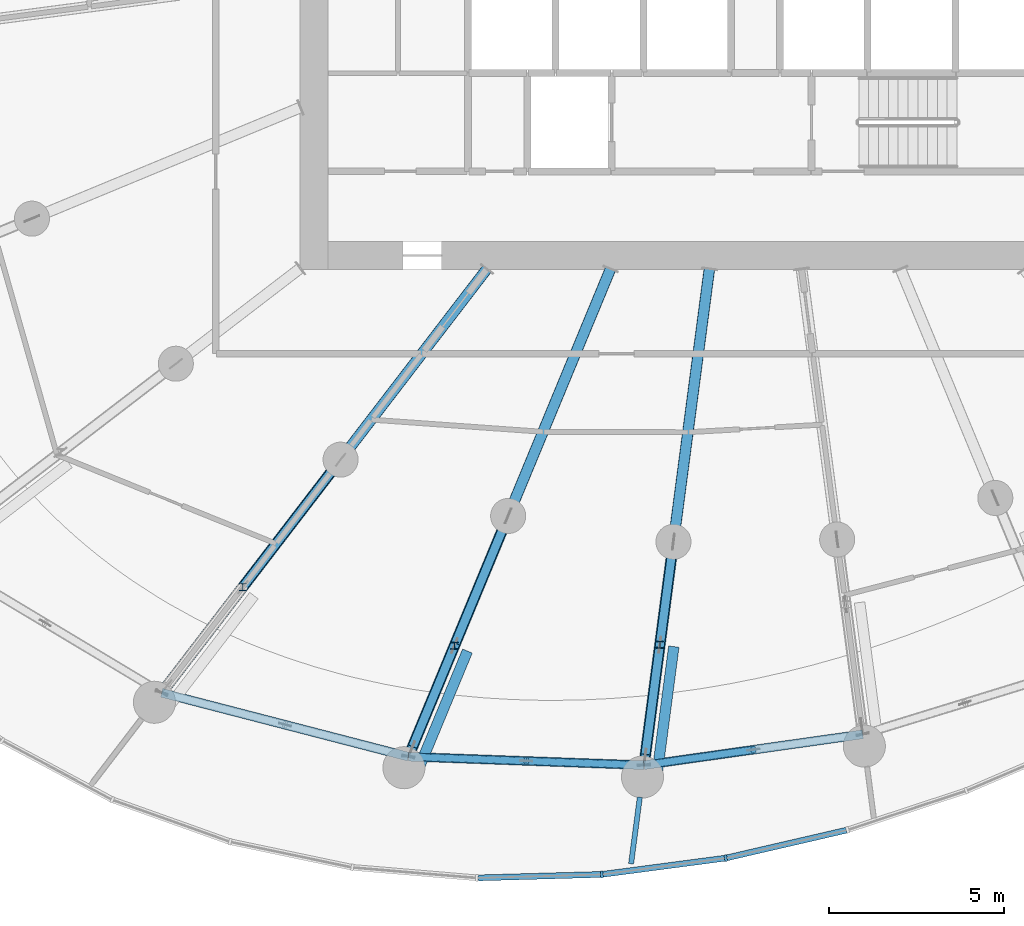
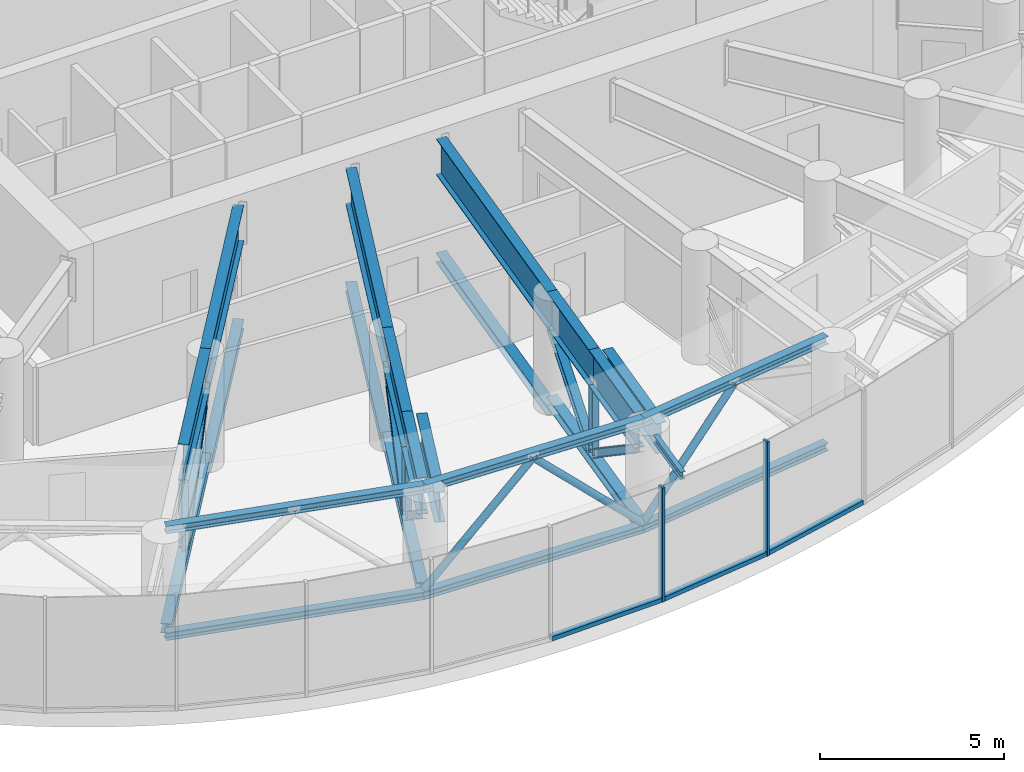
# One storey, part 3 of 33: 28 members, 11 beams, 1 element without a shape of its own.
"""IFC4 building model written with IfcOpenShell, lengths in metres."""

import ifcopenshell
import ifcopenshell.guid

model = None  # the IFC model being written
_history = None  # IfcOwnerHistory: only IFC2X3 demands one
_inside = {}  # id of a spatial element -> (the spatial element, [elements in it])
_under = {}  # id of a project, library or spatial element -> (it, [spatial elements below it])
_declared = {}  # id of a project -> (the project, [libraries it declares])
_typed = {}  # id of a type object -> (the type object, [elements of that type])
_made_of = {}  # id of a material, layer set ... -> (it, [elements and type objects made of it])


def new_model(schema):
    """Start an empty IFC model of exactly this schema.

    Asked for "IFC4X3", IfcOpenShell would pick the latest addendum, in which some entities
    have other attributes; the version numbers below select the first issue.
    IFC2X3 requires an IfcOwnerHistory on every rooted entity: one is made here for all.
    """
    global model, _history
    if schema == "IFC4X3":
        model = ifcopenshell.file(schema_version=(4, 3, 0, 0))
    else:
        model = ifcopenshell.file(schema=schema)
    _inside.clear()
    _under.clear()
    _declared.clear()
    _typed.clear()
    _made_of.clear()
    _history = None
    if model.schema == "IFC2X3":
        org = make("IfcOrganization", Name="unknown")
        user = make(
            "IfcPersonAndOrganization",
            ThePerson=make("IfcPerson", FamilyName="unknown"),
            TheOrganization=org,
        )
        app = make(
            "IfcApplication",
            ApplicationDeveloper=org,
            Version="unknown",
            ApplicationFullName="unknown",
            ApplicationIdentifier="unknown",
        )
        _history = make(
            "IfcOwnerHistory",
            OwningUser=user,
            OwningApplication=app,
            ChangeAction="ADDED",
            CreationDate=0,
        )
    return model


def make(cls, **values):
    """One entity of the class cls with the attributes given. An attribute that is None is left unset."""
    return model.create_entity(
        cls, **{name: value for name, value in values.items() if value is not None}
    )


def rooted(cls, **values):
    """An entity with a GlobalId (a new one), such as an element, a storey or a relation."""
    return make(cls, GlobalId=ifcopenshell.guid.new(), OwnerHistory=_history, **values)


def si_unit(unit_type, name, prefix=None):
    """IfcSIUnit, for example si_unit("LENGTHUNIT", "METRE", prefix="MILLI")."""
    return make("IfcSIUnit", UnitType=unit_type, Prefix=prefix, Name=name)


def assignment(units):
    """IfcUnitAssignment: the units of a project."""
    return None if units is None else make("IfcUnitAssignment", Units=units)


def point(xyz):
    """IfcCartesianPoint."""
    return None if xyz is None else make("IfcCartesianPoint", Coordinates=xyz)


def direction(xyz):
    """IfcDirection."""
    return None if xyz is None else make("IfcDirection", DirectionRatios=xyz)


def frame(location, z_axis=None, x_axis=None):
    """IfcAxis2Placement3D, a coordinate frame: its origin and axes. An axis left out is left unset."""
    return make(
        "IfcAxis2Placement3D",
        Location=point(location),
        Axis=direction(z_axis),
        RefDirection=direction(x_axis),
    )


def frame_2d(location, x_axis=None):
    """IfcAxis2Placement2D, a coordinate frame in the plane: its origin and x axis."""
    return make(
        "IfcAxis2Placement2D", Location=point(location), RefDirection=direction(x_axis)
    )


def origin():
    """The frame at (0, 0, 0) with its axes left unset."""
    return frame((0.0, 0.0, 0.0))


def origin_2d():
    """The frame at (0, 0) in the plane with its x axis left unset."""
    return frame_2d((0.0, 0.0))


def place(relative_to, where):
    """IfcLocalPlacement: puts the frame where relative to a parent placement (None: the world)."""
    return make(
        "IfcLocalPlacement", PlacementRelTo=relative_to, RelativePlacement=where
    )


def context(
    kind, dimensions, precision=None, world=None, true_north=None, identifier=None
):
    """IfcGeometricRepresentationContext, for example the 3D "Model" context."""
    return make(
        "IfcGeometricRepresentationContext",
        ContextIdentifier=identifier,
        ContextType=kind,
        CoordinateSpaceDimension=dimensions,
        Precision=precision,
        WorldCoordinateSystem=world,
        TrueNorth=true_north,
    )


def subcontext(parent, identifier, kind, view, scale=None):
    """IfcGeometricRepresentationSubContext, for example "Body" below "Model"."""
    return make(
        "IfcGeometricRepresentationSubContext",
        ContextIdentifier=identifier,
        ContextType=kind,
        ParentContext=parent,
        TargetScale=scale,
        TargetView=view,
    )


def project(units=None, contexts=None):
    """IfcProject with its units and contexts."""
    return rooted(
        "IfcProject",
        Name="project",
        RepresentationContexts=contexts,
        UnitsInContext=assignment(units),
    )


def spatial(cls, under=None, at=None, **own):
    """A site, building, storey or space (cls), placed at a placement, below another one or the project."""
    s = rooted(cls, ObjectPlacement=at, **own)
    if under is not None:
        _under.setdefault(under.id(), (under, []))[1].append(s)
    return s


def profile(cls, at=None, kind="AREA", **sizes):
    """A parametric profile (cls). Its sizes go by their IFC names, for example OverallWidth=200.0."""
    return make(cls, ProfileType=kind, Position=at, **sizes)


def rectangle(**sizes):
    """IfcRectangleProfileDef."""
    return profile("IfcRectangleProfileDef", **sizes)


def hollow_circle(**sizes):
    """IfcCircleHollowProfileDef."""
    return profile("IfcCircleHollowProfileDef", **sizes)


def i_section(**sizes):
    """IfcIShapeProfileDef."""
    return profile("IfcIShapeProfileDef", **sizes)


def extrude(swept, where, along, depth):
    """IfcExtrudedAreaSolid: the profile swept, set in the frame where, extruded along a direction by depth."""
    return make(
        "IfcExtrudedAreaSolid",
        SweptArea=swept,
        Position=where,
        ExtrudedDirection=direction(along),
        Depth=depth,
    )


def shape(context_of_items, identifier, shape_type, items):
    """IfcShapeRepresentation: the items that make up one representation, for example the "Body"."""
    return make(
        "IfcShapeRepresentation",
        ContextOfItems=context_of_items,
        RepresentationIdentifier=identifier,
        RepresentationType=shape_type,
        Items=items,
    )


def source(mapping_origin, context_of_items, identifier, shape_type, items):
    """IfcRepresentationMap: a shape defined once, which mapped items show again and again."""
    return make(
        "IfcRepresentationMap",
        MappingOrigin=mapping_origin,
        MappedRepresentation=shape(context_of_items, identifier, shape_type, items),
    )


def transform(
    local_origin,
    x_axis=None,
    y_axis=None,
    z_axis=None,
    scale=None,
    scale2=None,
    scale3=None,
    uniform=True,
):
    """IfcCartesianTransformationOperator3D, or its non-uniform kind. x_axis, y_axis, z_axis: its Axis1, 2, 3."""
    if uniform:
        return make(
            "IfcCartesianTransformationOperator3D",
            Axis1=direction(x_axis),
            Axis2=direction(y_axis),
            LocalOrigin=point(local_origin),
            Scale=scale,
            Axis3=direction(z_axis),
        )
    return make(
        "IfcCartesianTransformationOperator3DnonUniform",
        Axis1=direction(x_axis),
        Axis2=direction(y_axis),
        LocalOrigin=point(local_origin),
        Scale=scale,
        Axis3=direction(z_axis),
        Scale2=scale2,
        Scale3=scale3,
    )


def mapped(mapping_source, mapping_target):
    """IfcMappedItem: shows the shape of a source again, moved by a transform."""
    return make(
        "IfcMappedItem", MappingSource=mapping_source, MappingTarget=mapping_target
    )


def material(Name=None, Category=None):
    """IfcMaterial."""
    return make("IfcMaterial", Name=Name, Category=Category)


def layer(
    of_material, thickness, ventilated=None, Name=None, Category=None, Priority=None
):
    """IfcMaterialLayer: one layer of a wall or slab, of a material (None: an air gap)."""
    return make(
        "IfcMaterialLayer",
        Material=of_material,
        LayerThickness=thickness,
        IsVentilated=ventilated,
        Name=Name,
        Category=Category,
        Priority=Priority,
    )


def layer_set(layers, Name=None):
    """IfcMaterialLayerSet."""
    return make("IfcMaterialLayerSet", MaterialLayers=layers, LayerSetName=Name)


def material_profile(
    of_material, cross_section, Name=None, Category=None, Priority=None
):
    """IfcMaterialProfile: a cross section and its material."""
    return make(
        "IfcMaterialProfile",
        Name=Name,
        Material=of_material,
        Profile=cross_section,
        Priority=Priority,
        Category=Category,
    )


def profile_set(profiles, Name=None, composite=None):
    """IfcMaterialProfileSet."""
    return make(
        "IfcMaterialProfileSet",
        Name=Name,
        MaterialProfiles=profiles,
        CompositeProfile=composite,
    )


def made_of(thing, what):
    """Note that an element or type object is made of a material, layer set ...; save() writes the relation."""
    if what is not None:
        _made_of.setdefault(what.id(), (what, []))[1].append(thing)
    return thing


def type_object(cls, material=None, **own):
    """A type object (cls), such as IfcWallType, which elements share."""
    return made_of(rooted(cls, **own), material)


def element(
    cls,
    number,
    at=None,
    inside=None,
    cuts=None,
    type_object=None,
    material=None,
    context=None,
    identifier="Body",
    shape_type=None,
    held_by="IfcProductDefinitionShape",
    body=None,
    shapes=None,
    **own,
):
    """One element of the class cls, such as IfcWall. Its Tag is "e" and its number.

    at: its placement. inside: the storey or other place that contains it. cuts: it is an
    opening in that element (IfcRelVoidsElement). A single representation is given by context,
    identifier, shape_type and body (its items); several are given by shapes. held_by: the class
    of the entity that holds the representations. save() writes the other relations.
    """
    e = rooted(cls, Tag="e%d" % number, ObjectPlacement=at, **own)
    if body is not None:
        shapes = [shape(context, identifier, shape_type, body)]
    if shapes is not None:
        e.Representation = make(held_by, Representations=shapes)
    if inside is not None:
        _inside.setdefault(inside.id(), (inside, []))[1].append(e)
    if cuts is not None:
        rooted(
            "IfcRelVoidsElement", RelatingBuildingElement=cuts, RelatedOpeningElement=e
        )
    if type_object is not None:
        _typed.setdefault(type_object.id(), (type_object, []))[1].append(e)
    return made_of(e, material)


def aggregate(whole, parts):
    """IfcRelAggregates: a whole, such as a stair, and the parts it consists of."""
    return rooted("IfcRelAggregates", RelatingObject=whole, RelatedObjects=parts)


def save(model, path):
    """Write the relations noted so far, then the file.

    IfcRelAggregates (storeys below a building ...), IfcRelContainedInSpatialStructure (elements
    in a storey), IfcRelDefinesByType, IfcRelAssociatesMaterial and IfcRelDeclares: one each for
    every whole, place, type object, material and project.
    """
    for whole, parts in _under.values():
        aggregate(whole, parts)
    for where, things in _inside.values():
        rooted(
            "IfcRelContainedInSpatialStructure",
            RelatedElements=things,
            RelatingStructure=where,
        )
    for kind, things in _typed.values():
        rooted("IfcRelDefinesByType", RelatedObjects=things, RelatingType=kind)
    for what, things in _made_of.values():
        rooted("IfcRelAssociatesMaterial", RelatedObjects=things, RelatingMaterial=what)
    for by, libraries in _declared.values():
        rooted("IfcRelDeclares", RelatingContext=by, RelatedDefinitions=libraries)
    model.write(path)


model = new_model("IFC4")

# Units and contexts
model_context = context("Model", 3, precision=1e-05, world=origin(), true_north=direction((0.0, 1.0)))
body_context = subcontext(model_context, "Body", "Model", "MODEL_VIEW")
ifc_project = project(units=[si_unit("LENGTHUNIT", "METRE"), si_unit("AREAUNIT", "SQUARE_METRE"), si_unit("VOLUMEUNIT", "CUBIC_METRE"), si_unit("PLANEANGLEUNIT", "RADIAN"), si_unit("MASSUNIT", "GRAM", prefix="KILO")], contexts=[model_context])

# Site, building, storey
site_placement = place(None, origin())
site = spatial("IfcSite", under=ifc_project, at=site_placement, CompositionType="ELEMENT")
building_placement = place(site_placement, origin())
building = spatial("IfcBuilding", under=site, at=building_placement, Name="Spindrift Exchange Tower", CompositionType="ELEMENT")
storey_placement = place(building_placement, frame((0.0, 0.0, 129.0)))
storey = spatial("IfcBuildingStorey", under=building, at=storey_placement, Name="L30", CompositionType="ELEMENT", Elevation=129.0)

# Beams
ifc_material_1 = material(Name="Steel Grade 300", Category="steel")
ifc_material_profile_1 = material_profile(ifc_material_1, i_section(OverallWidth=0.14599609375, OverallDepth=0.251953125, WebThickness=0.006103515625, FlangeThickness=0.008544921875, FilletRadius=0.011962890625, at=origin_2d()), Name="250UB31.4")
ifc_profile_set_1 = profile_set([ifc_material_profile_1], Name="Steel Grade 300")
beam_type_1 = type_object("IfcBeamType", Name="Cantilever Beam 250UB31.4 Steel Grade 300", PredefinedType="BEAM", material=ifc_profile_set_1)
shared_shape_1 = source(origin(), body_context, "Body", "SweptSolid", [
    extrude(i_section(OverallWidth=0.14599609375, OverallDepth=0.251953125, WebThickness=0.006103515625, FlangeThickness=0.008544921875, FilletRadius=0.011962890625, at=origin_2d()), origin(), (0.0, 0.0, 1.0), 1.918701171875),
])
beam_1_placement = place(storey_placement, frame((48.701904296875, 22.9482421875, 3.654052734375), z_axis=(-0.130546671118, -0.991442165061, 0.0), x_axis=(0.991442165061, -0.130546671118, 0.0)))
element("IfcBeam", 1, at=beam_1_placement, inside=storey, type_object=beam_type_1, Name="L30 cantilever beam R18T", PredefinedType="BEAM", context=body_context, shape_type="MappedRepresentation", body=[
    mapped(shared_shape_1, transform((0.0, 0.0, 0.0), scale=1.0)),
])
ifc_material_profile_2 = material_profile(ifc_material_1, i_section(OverallWidth=0.300048828125, OverallDepth=1.199951171875, WebThickness=0.011962890625, FlangeThickness=0.028076171875, at=origin_2d()), Name="1200WB249")
ifc_profile_set_2 = profile_set([ifc_material_profile_2], Name="Steel Grade 300")
beam_type_2 = type_object("IfcBeamType", Name="Outrigger Truss Transfer Girder 1200WB249 Steel Grade 300", PredefinedType="BEAM", material=ifc_profile_set_2)
shared_shape_2 = source(origin(), body_context, "Body", "SweptSolid", [
    extrude(i_section(OverallWidth=0.300048828125, OverallDepth=1.199951171875, WebThickness=0.011962890625, FlangeThickness=0.028076171875, at=origin_2d()), origin(), (0.0, 0.0, 1.0), 6.856689453125),
])
beam_2_placement = place(storey_placement, frame((44.3388671875, 38.015869140625, 3.179931640625), z_axis=(-0.608765628414, -0.793350117956, 0.0), x_axis=(0.793350117956, -0.608765628414, 0.0)))
element("IfcBeam", 2, at=beam_2_placement, inside=storey, type_object=beam_type_2, Name="L30 outrigger truss 16 top chord 1", PredefinedType="BEAM", context=body_context, shape_type="MappedRepresentation", body=[
    mapped(shared_shape_2, transform((0.0, 0.0, 0.0), scale=1.0)),
])
shared_shape_3 = source(origin(), body_context, "Body", "SweptSolid", [
    extrude(i_section(OverallWidth=0.300048828125, OverallDepth=1.199951171875, WebThickness=0.011962890625, FlangeThickness=0.028076171875, at=origin_2d()), origin(), (0.0, 0.0, 1.0), 7.630615234375),
])
beam_3_placement = place(storey_placement, frame((47.865478515625, 38.0185546875, 3.179931640625), z_axis=(-0.382688052328, -0.923877618846, 0.0), x_axis=(0.923877618846, -0.382688052328, 0.0)))
element("IfcBeam", 3, at=beam_3_placement, inside=storey, type_object=beam_type_2, Name="L30 outrigger truss 17 top chord 1", PredefinedType="BEAM", context=body_context, shape_type="MappedRepresentation", body=[
    mapped(shared_shape_3, transform((0.0, 0.0, 0.0), scale=1.0)),
])
shared_shape_4 = source(origin(), body_context, "Body", "SweptSolid", [
    extrude(i_section(OverallWidth=0.300048828125, OverallDepth=1.199951171875, WebThickness=0.011962890625, FlangeThickness=0.028076171875, at=origin_2d()), origin(), (0.0, 0.0, 1.0), 7.854248046875),
])
beam_4_placement = place(storey_placement, frame((50.68603515625, 38.019775390625, 3.179931640625), z_axis=(-0.130520446117, -0.991445617846, 0.0), x_axis=(0.991445617846, -0.130520446117, 0.0)))
element("IfcBeam", 4, at=beam_4_placement, inside=storey, type_object=beam_type_2, Name="L30 outrigger truss 18 top chord 1", PredefinedType="BEAM", context=body_context, shape_type="MappedRepresentation", body=[
    mapped(shared_shape_4, transform((0.0, 0.0, 0.0), scale=1.0)),
])

# Members
ifc_material_profile_3 = material_profile(ifc_material_1, i_section(OverallWidth=0.202880859375, OverallDepth=0.202880859375, WebThickness=0.00732421875, FlangeThickness=0.010986328125, FilletRadius=0.012939453125, at=origin_2d()), Name="200UC46.2")
ifc_profile_set_3 = profile_set([ifc_material_profile_3], Name="Steel Grade 300")
member_type_1 = type_object("IfcMemberType", Name="Outrigger Truss Post 200UC46.2 Steel Grade 300", PredefinedType="POST", material=ifc_profile_set_3)
shared_shape_5 = source(origin(), body_context, "Body", "SweptSolid", [
    extrude(i_section(OverallWidth=0.202880859375, OverallDepth=0.202880859375, WebThickness=0.00732421875, FlangeThickness=0.010986328125, FilletRadius=0.012939453125, at=origin_2d()), origin(), (0.0, 0.0, 1.0), 2.259033203125),
])
for number, where, z_axis, x_axis, name in (
    (5, (37.375, 28.9404296875, 0.321044921875), (0.0, 0.0, 1.0), (1.0, 0.0, 0.0), "L30 outrigger truss 16 post 2"),
    (6, (43.4130859375, 27.26904296875, 0.321044921875), (0.0, 0.0, 1.0), (1.0, 0.0, 0.0), "L30 outrigger truss 17 post 2"),
    (7, (49.274169921875, 27.294677734375, 0.321044921875), (0.0, 0.0, 1.0), (1.0, 0.0, 0.0), "L30 outrigger truss 18 post 2"),
):
    element("IfcMember", number, at=place(storey_placement, frame(where, z_axis=z_axis, x_axis=x_axis)), inside=storey, type_object=member_type_1, Name=name, PredefinedType="POST", context=body_context, shape_type="MappedRepresentation", body=[
        mapped(shared_shape_5, transform((0.0, 0.0, 0.0), scale=1.0)),
    ])
ifc_material_profile_4 = material_profile(ifc_material_1, i_section(OverallWidth=0.30908203125, OverallDepth=0.321044921875, WebThickness=0.013916015625, FlangeThickness=0.021728515625, FilletRadius=0.0166015625, at=origin_2d()), Name="310UC137")
ifc_profile_set_4 = profile_set([ifc_material_profile_4], Name="Steel Grade 300")
member_type_2 = type_object("IfcMemberType", Name="Outrigger Truss Chord 310UC137 Steel Grade 300", PredefinedType="CHORD", material=ifc_profile_set_4)
shared_shape_6 = source(origin(), body_context, "Body", "SweptSolid", [
    extrude(i_section(OverallWidth=0.30908203125, OverallDepth=0.321044921875, WebThickness=0.013916015625, FlangeThickness=0.021728515625, FilletRadius=0.0166015625, at=origin_2d()), origin(), (0.0, 0.0, 1.0), 6.856689453125),
])
member_1_placement = place(storey_placement, frame((44.3388671875, 38.015869140625, -0.160400390625), z_axis=(-0.608765628414, -0.793350117956, 0.0), x_axis=(0.793350117956, -0.608765628414, 0.0)))
element("IfcMember", 8, at=member_1_placement, inside=storey, type_object=member_type_2, Name="L30 outrigger truss 16 bottom chord 1", PredefinedType="CHORD", context=body_context, shape_type="MappedRepresentation", body=[
    mapped(shared_shape_6, transform((0.0, 0.0, 0.0), scale=1.0)),
])

# Beam
shared_shape_7 = source(origin(), body_context, "Body", "SweptSolid", [
    extrude(i_section(OverallWidth=0.300048828125, OverallDepth=1.199951171875, WebThickness=0.011962890625, FlangeThickness=0.028076171875, at=origin_2d()), origin(), (0.0, 0.0, 1.0), 4.582763671875),
])
beam_5_placement = place(storey_placement, frame((40.164794921875, 32.576171875, 3.179931640625), z_axis=(-0.60876030555, -0.79335420235, 0.0), x_axis=(0.79335420235, -0.60876030555, 0.0)))
element("IfcBeam", 9, at=beam_5_placement, inside=storey, type_object=beam_type_2, Name="L30 outrigger truss 16 top chord 2", PredefinedType="BEAM", context=body_context, shape_type="MappedRepresentation", body=[
    mapped(shared_shape_7, transform((0.0, 0.0, 0.0), scale=1.0)),
])

# Members
shared_shape_8 = source(origin(), body_context, "Body", "SweptSolid", [
    extrude(i_section(OverallWidth=0.30908203125, OverallDepth=0.321044921875, WebThickness=0.013916015625, FlangeThickness=0.021728515625, FilletRadius=0.0166015625, at=origin_2d()), origin(), (0.0, 0.0, 1.0), 8.143798828125),
])
member_2_placement = place(storey_placement, frame((40.164794921875, 32.576171875, 0.160400390625), z_axis=(-0.608751213098, -0.793361179131, 0.0), x_axis=(0.793361179131, -0.608751213098, 0.0)))
element("IfcMember", 10, at=member_2_placement, inside=storey, type_object=member_type_2, Name="L30 outrigger truss 16 bottom chord 2", PredefinedType="CHORD", context=body_context, shape_type="MappedRepresentation", body=[
    mapped(shared_shape_8, transform((0.0, 0.0, 0.0), scale=1.0)),
])
ifc_material_profile_5 = material_profile(ifc_material_1, i_section(OverallWidth=0.25390625, OverallDepth=0.25390625, WebThickness=0.008544921875, FlangeThickness=0.01416015625, FilletRadius=0.011962890625, at=origin_2d()), Name="250UC72.9")
ifc_profile_set_5 = profile_set([ifc_material_profile_5], Name="Steel Grade 300")
member_type_3 = type_object("IfcMemberType", Name="Outrigger Truss Diagonal 250UC72.9 Steel Grade 300", PredefinedType="BRACE", material=ifc_profile_set_5)
shared_shape_9 = source(origin(), body_context, "Body", "SweptSolid", [
    extrude(i_section(OverallWidth=0.25390625, OverallDepth=0.25390625, WebThickness=0.008544921875, FlangeThickness=0.01416015625, FilletRadius=0.011962890625, at=origin_2d()), origin(), (0.0, 0.0, 1.0), 5.109375),
])
member_3_placement = place(storey_placement, frame((40.164794921875, 32.576171875, 2.580078125), z_axis=(-0.546024371921, -0.711594902131, -0.442142602029), x_axis=(0.79335420235, -0.60876030555, 0.0)))
element("IfcMember", 11, at=member_3_placement, inside=storey, type_object=member_type_3, Name="L30 outrigger truss 16 diagonal 2", PredefinedType="BRACE", context=body_context, shape_type="MappedRepresentation", body=[
    mapped(shared_shape_9, transform((0.0, 0.0, 0.0), scale=1.0)),
])
shared_shape_10 = source(origin(), body_context, "Body", "SweptSolid", [
    extrude(i_section(OverallWidth=0.30908203125, OverallDepth=0.321044921875, WebThickness=0.013916015625, FlangeThickness=0.021728515625, FilletRadius=0.0166015625, at=origin_2d()), origin(), (0.0, 0.0, 1.0), 7.630615234375),
])
member_4_placement = place(storey_placement, frame((47.865478515625, 38.0185546875, -0.160400390625), z_axis=(-0.382688052328, -0.923877618846, 0.0), x_axis=(0.923877618846, -0.382688052328, 0.0)))
element("IfcMember", 12, at=member_4_placement, inside=storey, type_object=member_type_2, Name="L30 outrigger truss 17 bottom chord 1", PredefinedType="CHORD", context=body_context, shape_type="MappedRepresentation", body=[
    mapped(shared_shape_10, transform((0.0, 0.0, 0.0), scale=1.0)),
])

# Beam
shared_shape_11 = source(origin(), body_context, "Body", "SweptSolid", [
    extrude(i_section(OverallWidth=0.300048828125, OverallDepth=1.199951171875, WebThickness=0.011962890625, FlangeThickness=0.028076171875, at=origin_2d()), origin(), (0.0, 0.0, 1.0), 4.00439453125),
])
beam_6_placement = place(storey_placement, frame((44.9453125, 30.96875, 3.179931640625), z_axis=(-0.382631792224, -0.923900920867, 0.0), x_axis=(0.923900920867, -0.382631792224, 0.0)))
element("IfcBeam", 13, at=beam_6_placement, inside=storey, type_object=beam_type_2, Name="L30 outrigger truss 17 top chord 2", PredefinedType="BEAM", context=body_context, shape_type="MappedRepresentation", body=[
    mapped(shared_shape_11, transform((0.0, 0.0, 0.0), scale=1.0)),
])

# Members
shared_shape_12 = source(origin(), body_context, "Body", "SweptSolid", [
    extrude(i_section(OverallWidth=0.30908203125, OverallDepth=0.321044921875, WebThickness=0.013916015625, FlangeThickness=0.021728515625, FilletRadius=0.0166015625, at=origin_2d()), origin(), (0.0, 0.0, 1.0), 7.1923828125),
])
member_5_placement = place(storey_placement, frame((44.9453125, 30.96875, 0.160400390625), z_axis=(-0.382652583252, -0.923892310029, 0.0), x_axis=(0.923892310029, -0.382652583252, 0.0)))
element("IfcMember", 14, at=member_5_placement, inside=storey, type_object=member_type_2, Name="L30 outrigger truss 17 bottom chord 2", PredefinedType="CHORD", context=body_context, shape_type="MappedRepresentation", body=[
    mapped(shared_shape_12, transform((0.0, 0.0, 0.0), scale=1.0)),
])
shared_shape_13 = source(origin(), body_context, "Body", "SweptSolid", [
    extrude(i_section(OverallWidth=0.25390625, OverallDepth=0.25390625, WebThickness=0.008544921875, FlangeThickness=0.01416015625, FilletRadius=0.011962890625, at=origin_2d()), origin(), (0.0, 0.0, 1.0), 4.59765625),
])
member_6_placement = place(storey_placement, frame((44.9453125, 30.96875, 2.580078125), z_axis=(-0.333259864527, -0.804687697108, -0.491340587392), x_axis=(0.923900920867, -0.382631792224, 0.0)))
element("IfcMember", 15, at=member_6_placement, inside=storey, type_object=member_type_3, Name="L30 outrigger truss 17 diagonal 2", PredefinedType="BRACE", context=body_context, shape_type="MappedRepresentation", body=[
    mapped(shared_shape_13, transform((0.0, 0.0, 0.0), scale=1.0)),
])

# Beam
shared_shape_14 = source(origin(), body_context, "Body", "SweptSolid", [
    extrude(i_section(OverallWidth=0.300048828125, OverallDepth=1.199951171875, WebThickness=0.011962890625, FlangeThickness=0.028076171875, at=origin_2d()), origin(), (0.0, 0.0, 1.0), 3.18798828125),
])
beam_7_placement = place(storey_placement, frame((43.4130859375, 27.26904296875, 3.179931640625), z_axis=(-0.382678698745, -0.923881493227, 0.0), x_axis=(0.923881493227, -0.382678698745, 0.0)))
element("IfcBeam", 16, at=beam_7_placement, inside=storey, type_object=beam_type_2, Name="L30 outrigger truss 17 top chord 3", PredefinedType="BEAM", context=body_context, shape_type="MappedRepresentation", body=[
    mapped(shared_shape_14, transform((0.0, 0.0, 0.0), scale=1.0)),
])

# Members
shared_shape_15 = source(origin(), body_context, "Body", "SweptSolid", [
    extrude(i_section(OverallWidth=0.25390625, OverallDepth=0.25390625, WebThickness=0.008544921875, FlangeThickness=0.01416015625, FilletRadius=0.011962890625, at=origin_2d()), origin(), (0.0, 0.0, 1.0), 3.9072265625),
])
member_7_placement = place(storey_placement, frame((43.4130859375, 27.26904296875, 0.321044921875), z_axis=(-0.312234381656, -0.753811402901, 0.578167847401), x_axis=(0.923881493227, -0.382678698745, 0.0)))
element("IfcMember", 17, at=member_7_placement, inside=storey, type_object=member_type_3, Name="L30 outrigger truss 17 diagonal 3", PredefinedType="BRACE", context=body_context, shape_type="MappedRepresentation", body=[
    mapped(shared_shape_15, transform((0.0, 0.0, 0.0), scale=1.0)),
])
shared_shape_16 = source(origin(), body_context, "Body", "SweptSolid", [
    extrude(i_section(OverallWidth=0.30908203125, OverallDepth=0.321044921875, WebThickness=0.013916015625, FlangeThickness=0.021728515625, FilletRadius=0.0166015625, at=origin_2d()), origin(), (0.0, 0.0, 1.0), 7.854248046875),
])
member_8_placement = place(storey_placement, frame((50.68603515625, 38.019775390625, -0.160400390625), z_axis=(-0.130520446117, -0.991445617846, 0.0), x_axis=(0.991445617846, -0.130520446117, 0.0)))
element("IfcMember", 18, at=member_8_placement, inside=storey, type_object=member_type_2, Name="L30 outrigger truss 18 bottom chord 1", PredefinedType="CHORD", context=body_context, shape_type="MappedRepresentation", body=[
    mapped(shared_shape_16, transform((0.0, 0.0, 0.0), scale=1.0)),
])

# Beam
shared_shape_17 = source(origin(), body_context, "Body", "SweptSolid", [
    extrude(i_section(OverallWidth=0.300048828125, OverallDepth=1.199951171875, WebThickness=0.011962890625, FlangeThickness=0.028076171875, at=origin_2d()), origin(), (0.0, 0.0, 1.0), 2.96337890625),
])
beam_8_placement = place(storey_placement, frame((49.660888671875, 30.232666015625, 3.179931640625), z_axis=(-0.130501398564, -0.991448125205, 0.0), x_axis=(0.991448125205, -0.130501398564, 0.0)))
element("IfcBeam", 19, at=beam_8_placement, inside=storey, type_object=beam_type_2, Name="L30 outrigger truss 18 top chord 2", PredefinedType="BEAM", context=body_context, shape_type="MappedRepresentation", body=[
    mapped(shared_shape_17, transform((0.0, 0.0, 0.0), scale=1.0)),
])

# Members
shared_shape_18 = source(origin(), body_context, "Body", "SweptSolid", [
    extrude(i_section(OverallWidth=0.30908203125, OverallDepth=0.321044921875, WebThickness=0.013916015625, FlangeThickness=0.021728515625, FilletRadius=0.0166015625, at=origin_2d()), origin(), (0.0, 0.0, 1.0), 6.1875),
])
member_9_placement = place(storey_placement, frame((49.660888671875, 30.232666015625, 0.160400390625), z_axis=(-0.130524939194, -0.991445026337, 0.0), x_axis=(0.991445026337, -0.130524939194, 0.0)))
element("IfcMember", 20, at=member_9_placement, inside=storey, type_object=member_type_2, Name="L30 outrigger truss 18 bottom chord 2", PredefinedType="CHORD", context=body_context, shape_type="MappedRepresentation", body=[
    mapped(shared_shape_18, transform((0.0, 0.0, 0.0), scale=1.0)),
])
shared_shape_19 = source(origin(), body_context, "Body", "SweptSolid", [
    extrude(i_section(OverallWidth=0.25390625, OverallDepth=0.25390625, WebThickness=0.008544921875, FlangeThickness=0.01416015625, FilletRadius=0.011962890625, at=origin_2d()), origin(), (0.0, 0.0, 1.0), 3.726318359375),
])
member_10_placement = place(storey_placement, frame((49.660888671875, 30.232666015625, 2.580078125), z_axis=(-0.103783713668, -0.788467935786, -0.606256756675), x_axis=(0.991448125205, -0.130501398564, 0.0)))
element("IfcMember", 21, at=member_10_placement, inside=storey, type_object=member_type_3, Name="L30 outrigger truss 18 diagonal 2", PredefinedType="BRACE", context=body_context, shape_type="MappedRepresentation", body=[
    mapped(shared_shape_19, transform((0.0, 0.0, 0.0), scale=1.0)),
])

# Beam
shared_shape_20 = source(origin(), body_context, "Body", "SweptSolid", [
    extrude(i_section(OverallWidth=0.300048828125, OverallDepth=1.199951171875, WebThickness=0.011962890625, FlangeThickness=0.028076171875, at=origin_2d()), origin(), (0.0, 0.0, 1.0), 3.22412109375),
])
beam_9_placement = place(storey_placement, frame((49.274169921875, 27.294677734375, 3.179931640625), z_axis=(-0.130546575594, -0.991442177639, 0.0), x_axis=(0.991442177639, -0.130546575594, 0.0)))
element("IfcBeam", 22, at=beam_9_placement, inside=storey, type_object=beam_type_2, Name="L30 outrigger truss 18 top chord 3", PredefinedType="BEAM", context=body_context, shape_type="MappedRepresentation", body=[
    mapped(shared_shape_20, transform((0.0, 0.0, 0.0), scale=1.0)),
])

# Members
shared_shape_21 = source(origin(), body_context, "Body", "SweptSolid", [
    extrude(i_section(OverallWidth=0.25390625, OverallDepth=0.25390625, WebThickness=0.008544921875, FlangeThickness=0.01416015625, FilletRadius=0.011962890625, at=origin_2d()), origin(), (0.0, 0.0, 1.0), 3.936767578125),
])
member_11_placement = place(storey_placement, frame((49.274169921875, 27.294677734375, 0.321044921875), z_axis=(-0.106914480121, -0.81196710454, 0.573828123296), x_axis=(0.991442177639, -0.130546575594, 0.0)))
element("IfcMember", 23, at=member_11_placement, inside=storey, type_object=member_type_3, Name="L30 outrigger truss 18 diagonal 3", PredefinedType="BRACE", context=body_context, shape_type="MappedRepresentation", body=[
    mapped(shared_shape_21, transform((0.0, 0.0, 0.0), scale=1.0)),
])
ifc_material_profile_6 = material_profile(ifc_material_1, i_section(OverallWidth=0.25390625, OverallDepth=0.25390625, WebThickness=0.008544921875, FlangeThickness=0.01416015625, FilletRadius=0.011962890625, at=origin_2d()), Name="250UC72.9")
ifc_profile_set_6 = profile_set([ifc_material_profile_6], Name="Steel Grade 300")
member_type_4 = type_object("IfcMemberType", Name="Belt Truss Chord 250UC72.9 Steel Grade 300", PredefinedType="CHORD", material=ifc_profile_set_6)
shared_shape_22 = source(origin(), body_context, "Body", "SweptSolid", [
    extrude(i_section(OverallWidth=0.25390625, OverallDepth=0.25390625, WebThickness=0.008544921875, FlangeThickness=0.01416015625, FilletRadius=0.011962890625, at=origin_2d()), origin(), (0.0, 0.0, 1.0), 7.27197265625),
])
for number, where, z_axis, x_axis, name in (
    (24, (35.061279296875, 25.9248046875, 3.653076171875), (0.968076294162, -0.250655717434, 0.0), (0.250655717434, 0.968076294162, 0.0), "L30 belt truss 16 top chord"),
    (25, (35.061279296875, 25.9248046875, 0.126953125), (0.968076294162, -0.250655717434, 0.0), (0.250655717434, 0.968076294162, 0.0), "L30 belt truss 16 bottom chord"),
):
    element("IfcMember", number, at=place(storey_placement, frame(where, z_axis=z_axis, x_axis=x_axis)), inside=storey, type_object=member_type_4, Name=name, PredefinedType="CHORD", context=body_context, shape_type="MappedRepresentation", body=[
        mapped(shared_shape_22, transform((0.0, 0.0, 0.0), scale=1.0)),
    ])
shared_shape_23 = source(origin(), body_context, "Body", "SweptSolid", [
    extrude(i_section(OverallWidth=0.25390625, OverallDepth=0.25390625, WebThickness=0.008544921875, FlangeThickness=0.01416015625, FilletRadius=0.011962890625, at=origin_2d()), origin(), (0.0, 0.0, 1.0), 6.725341796875),
])
for number, where, z_axis, x_axis, name in (
    (26, (42.10107421875, 24.10205078125, 3.653076171875), (0.999353991063, -0.035938844533, 0.0), (0.035938844533, 0.999353991063, 0.0), "L30 belt truss 17 top chord"),
    (27, (42.10107421875, 24.10205078125, 0.126953125), (0.999353991063, -0.035938844533, 0.0), (0.035938844533, 0.999353991063, 0.0), "L30 belt truss 17 bottom chord"),
):
    element("IfcMember", number, at=place(storey_placement, frame(where, z_axis=z_axis, x_axis=x_axis)), inside=storey, type_object=member_type_4, Name=name, PredefinedType="CHORD", context=body_context, shape_type="MappedRepresentation", body=[
        mapped(shared_shape_23, transform((0.0, 0.0, 0.0), scale=1.0)),
    ])
ifc_material_2 = material(Name="Steel Grade 350", Category="steel")
ifc_material_profile_7 = material_profile(ifc_material_2, hollow_circle(Radius=0.109619140625, WallThickness=0.006103515625, at=origin_2d()), Name="219.1x6.0CHS")
ifc_profile_set_7 = profile_set([ifc_material_profile_7], Name="Steel Grade 350")
member_type_5 = type_object("IfcMemberType", Name="Belt Truss Diagonal 219.1x6.0CHS Steel Grade 350", PredefinedType="BRACE", material=ifc_profile_set_7)
shared_shape_24 = source(origin(), body_context, "Body", "SweptSolid", [
    extrude(hollow_circle(Radius=0.109619140625, WallThickness=0.006103515625, at=origin_2d()), origin(), (0.0, 0.0, 1.0), 4.691650390625),
])
member_12_placement = place(storey_placement, frame((42.10107421875, 24.10205078125, 0.25390625), z_axis=(0.716227993223, -0.025757981448, 0.697390843154), x_axis=(0.035940148385, 0.999353944173, 0.0)))
element("IfcMember", 28, at=member_12_placement, inside=storey, type_object=member_type_5, Name="L30 belt truss 17 diagonal 1", PredefinedType="BRACE", context=body_context, shape_type="MappedRepresentation", body=[
    mapped(shared_shape_24, transform((0.0, 0.0, 0.0), scale=1.0)),
])
shared_shape_25 = source(origin(), body_context, "Body", "SweptSolid", [
    extrude(hollow_circle(Radius=0.109619140625, WallThickness=0.006103515625, at=origin_2d()), origin(), (0.0, 0.0, 1.0), 4.69189453125),
])
member_13_placement = place(storey_placement, frame((45.46142578125, 23.981201171875, 3.52587890625), z_axis=(0.716253334406, -0.02575702147, -0.697364851995), x_axis=(0.035937540776, 0.999354037948, 0.0)))
element("IfcMember", 29, at=member_13_placement, inside=storey, type_object=member_type_5, Name="L30 belt truss 17 diagonal 2", PredefinedType="BRACE", context=body_context, shape_type="MappedRepresentation", body=[
    mapped(shared_shape_25, transform((0.0, 0.0, 0.0), scale=1.0)),
])
shared_shape_26 = source(origin(), body_context, "Body", "SweptSolid", [
    extrude(i_section(OverallWidth=0.25390625, OverallDepth=0.25390625, WebThickness=0.008544921875, FlangeThickness=0.01416015625, FilletRadius=0.011962890625, at=origin_2d()), origin(), (0.0, 0.0, 1.0), 6.302001953125),
])
for number, where, z_axis, x_axis, name in (
    (30, (48.822021484375, 23.8603515625, 3.653076171875), (0.990172173679, 0.139853732422, 0.0), (-0.139853732422, 0.990172173679, 0.0), "L30 belt truss 18 top chord"),
    (31, (48.822021484375, 23.8603515625, 0.126953125), (0.990172173679, 0.139853732422, 0.0), (-0.139853732422, 0.990172173679, 0.0), "L30 belt truss 18 bottom chord"),
):
    element("IfcMember", number, at=place(storey_placement, frame(where, z_axis=z_axis, x_axis=x_axis)), inside=storey, type_object=member_type_4, Name=name, PredefinedType="CHORD", context=body_context, shape_type="MappedRepresentation", body=[
        mapped(shared_shape_26, transform((0.0, 0.0, 0.0), scale=1.0)),
    ])
shared_shape_27 = source(origin(), body_context, "Body", "SweptSolid", [
    extrude(hollow_circle(Radius=0.109619140625, WallThickness=0.006103515625, at=origin_2d()), origin(), (0.0, 0.0, 1.0), 4.54248046875),
])
member_14_placement = place(storey_placement, frame((48.822021484375, 23.8603515625, 0.25390625), z_axis=(0.686830151405, 0.097012944932, 0.720314397772), x_axis=(-0.139859097403, 0.990171415904, 0.0)))
element("IfcMember", 32, at=member_14_placement, inside=storey, type_object=member_type_5, Name="L30 belt truss 18 diagonal 1", PredefinedType="BRACE", context=body_context, shape_type="MappedRepresentation", body=[
    mapped(shared_shape_27, transform((0.0, 0.0, 0.0), scale=1.0)),
])

# Beams
ifc_material_profile_8 = material_profile(ifc_material_1, i_section(OverallWidth=0.300048828125, OverallDepth=1.0, WebThickness=0.010009765625, FlangeThickness=0.02001953125, at=origin_2d()), Name="1000WB215")
ifc_profile_set_8 = profile_set([ifc_material_profile_8], Name="Steel Grade 300")
beam_type_3 = type_object("IfcBeamType", Name="Transfer Tie Beam 1000WB215 Steel Grade 300", PredefinedType="BEAM", material=ifc_profile_set_8)
shared_shape_28 = source(origin(), body_context, "Body", "SweptSolid", [
    extrude(i_section(OverallWidth=0.300048828125, OverallDepth=1.0, WebThickness=0.010009765625, FlangeThickness=0.02001953125, at=origin_2d()), origin(), (0.0, 0.0, 1.0), 3.76806640625),
])
beam_10_placement = place(storey_placement, frame((42.340576171875, 23.634765625, 3.179931640625), z_axis=(0.382723737648, 0.923862836486, 0.0), x_axis=(-0.923862836486, 0.382723737648, 0.0)))
element("IfcBeam", 33, at=beam_10_placement, inside=storey, type_object=beam_type_3, Name="L30 transfer tie beam K17", PredefinedType="BEAM", context=body_context, shape_type="MappedRepresentation", body=[
    mapped(shared_shape_28, transform((0.0, 0.0, 0.0), scale=1.0)),
])
shared_shape_29 = source(origin(), body_context, "Body", "SweptSolid", [
    extrude(i_section(OverallWidth=0.300048828125, OverallDepth=1.0, WebThickness=0.010009765625, FlangeThickness=0.02001953125, at=origin_2d()), origin(), (0.0, 0.0, 1.0), 3.803955078125),
])
beam_11_placement = place(storey_placement, frame((49.17431640625, 23.470947265625, 3.179931640625), z_axis=(0.130477755362, 0.991451237003, 0.0), x_axis=(-0.991451237003, 0.130477755362, 0.0)))
element("IfcBeam", 34, at=beam_11_placement, inside=storey, type_object=beam_type_3, Name="L30 transfer tie beam K18", PredefinedType="BEAM", context=body_context, shape_type="MappedRepresentation", body=[
    mapped(shared_shape_29, transform((0.0, 0.0, 0.0), scale=1.0)),
])

# Curtain wall, members
ifc_material_3 = material(Name="Fritted laminated glass with bronze frame", Category="glass")
ifc_layer = layer(ifc_material_3, 0.18994140625)
ifc_layer_set = layer_set([ifc_layer], Name="ZONE 2 BRONZE FRITTED WALL")
curtain_wall_type = type_object("IfcCurtainWallType", Name="ZONE 2 BRONZE FRITTED WALL", PredefinedType="NOTDEFINED", material=ifc_layer_set)
curtain_wall_placement = place(storey_placement, origin())
curtain_wall = element("IfcCurtainWall", 35, at=curtain_wall_placement, inside=storey, type_object=curtain_wall_type, Name="L30 Zone 2 Bronze Fritted Wall run 6", PredefinedType="NOTDEFINED")
ifc_material_4 = material(Name="Bronze anodised aluminium", Category="aluminium")
ifc_material_profile_9 = material_profile(ifc_material_4, rectangle(XDim=0.169921875, YDim=0.139892578125, at=origin_2d()), Name="ZONE 2 BRONZE FRITTED WALL TRANSOM 170X140")
ifc_profile_set_9 = profile_set([ifc_material_profile_9], Name="Bronze anodised aluminium")
member_type_6 = type_object("IfcMemberType", Name="ZONE 2 BRONZE FRITTED WALL TRANSOM 170X140", PredefinedType="USERDEFINED", material=ifc_profile_set_9)
shared_shape_30 = source(origin(), body_context, "Body", "SweptSolid", [
    extrude(rectangle(XDim=0.169921875, YDim=0.139892578125, at=origin_2d()), origin(), (0.0, 0.0, 1.0), 3.4912109375),
])
member_15_placement = place(storey_placement, frame((44.09033203125, 20.64453125, 0.070068359375), z_axis=(0.999610637129, 0.027902941389, 0.0), x_axis=(-0.027902941389, 0.999610637129, 0.0)))
member_15 = element("IfcMember", 36, at=member_15_placement, type_object=member_type_6, Name="L30 transom CW-2.33", ObjectType="TRANSOM", PredefinedType="USERDEFINED", context=body_context, shape_type="MappedRepresentation", body=[
    mapped(shared_shape_30, transform((0.0, 0.0, 0.0), scale=1.0)),
])
member_16_placement = place(storey_placement, frame((47.65478515625, 20.748046875, 0.070068359375), z_axis=(0.991430714694, 0.130633601964, 0.0), x_axis=(-0.130633601964, 0.991430714694, 0.0)))
member_16 = element("IfcMember", 37, at=member_16_placement, type_object=member_type_6, Name="L30 transom CW-2.34", ObjectType="TRANSOM", PredefinedType="USERDEFINED", context=body_context, shape_type="MappedRepresentation", body=[
    mapped(shared_shape_30, transform((0.0, 0.0, 0.0), scale=1.0)),
])
shared_shape_31 = source(origin(), body_context, "Body", "SweptSolid", [
    extrude(rectangle(XDim=0.169921875, YDim=0.139892578125, at=origin_2d()), origin(), (0.0, 0.0, 1.0), 3.491455078125),
])
member_17_placement = place(storey_placement, frame((51.189697265625, 21.217529296875, 0.070068359375), z_axis=(0.974288561441, 0.225303792791, 0.0), x_axis=(-0.225303792791, 0.974288561441, 0.0)))
member_17 = element("IfcMember", 38, at=member_17_placement, type_object=member_type_6, Name="L30 transom CW-2.35", ObjectType="TRANSOM", PredefinedType="USERDEFINED", context=body_context, shape_type="MappedRepresentation", body=[
    mapped(shared_shape_31, transform((0.0, 0.0, 0.0), scale=1.0)),
])
ifc_material_profile_10 = material_profile(ifc_material_4, rectangle(XDim=0.074951171875, YDim=0.18994140625, at=origin_2d()), Name="ZONE 2 BRONZE FRITTED WALL MULLION 75X190")
ifc_profile_set_10 = profile_set([ifc_material_profile_10], Name="Bronze anodised aluminium")
member_type_7 = type_object("IfcMemberType", Name="ZONE 2 BRONZE FRITTED WALL MULLION 75X190", PredefinedType="MULLION", material=ifc_profile_set_10)
shared_shape_32 = source(origin(), body_context, "Body", "SweptSolid", [
    extrude(rectangle(XDim=0.074951171875, YDim=0.18994140625, at=origin_2d()), origin(), (0.0, 0.0, 1.0), 3.780029296875),
])
member_18_placement = place(storey_placement, frame((47.617431640625, 20.7431640625, 0.0), z_axis=(0.0, 0.0, 1.0), x_axis=(0.996843572143, 0.079390759396, 0.0)))
member_18 = element("IfcMember", 39, at=member_18_placement, type_object=member_type_7, Name="L30 mullion CW-2.34", PredefinedType="MULLION", context=body_context, shape_type="MappedRepresentation", body=[
    mapped(shared_shape_32, transform((0.0, 0.0, 0.0), scale=1.0)),
])
member_19_placement = place(storey_placement, frame((51.1533203125, 21.208984375, 0.0), z_axis=(0.0, 0.0, 1.0), x_axis=(0.983996284214, 0.178188980169, 0.0)))
member_19 = element("IfcMember", 40, at=member_19_placement, type_object=member_type_7, Name="L30 mullion CW-2.35", PredefinedType="MULLION", context=body_context, shape_type="MappedRepresentation", body=[
    mapped(shared_shape_32, transform((0.0, 0.0, 0.0), scale=1.0)),
])
aggregate(curtain_wall, [member_15, member_18, member_16, member_19, member_17])

save(model, "model.ifc")
